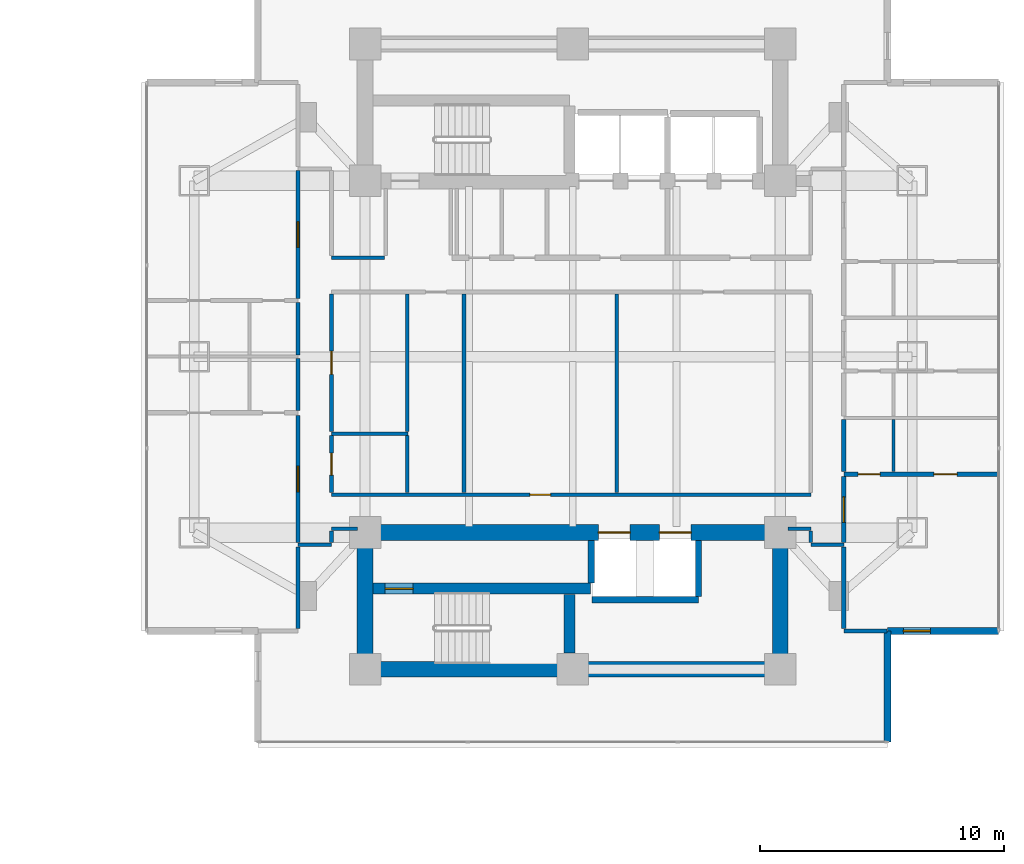
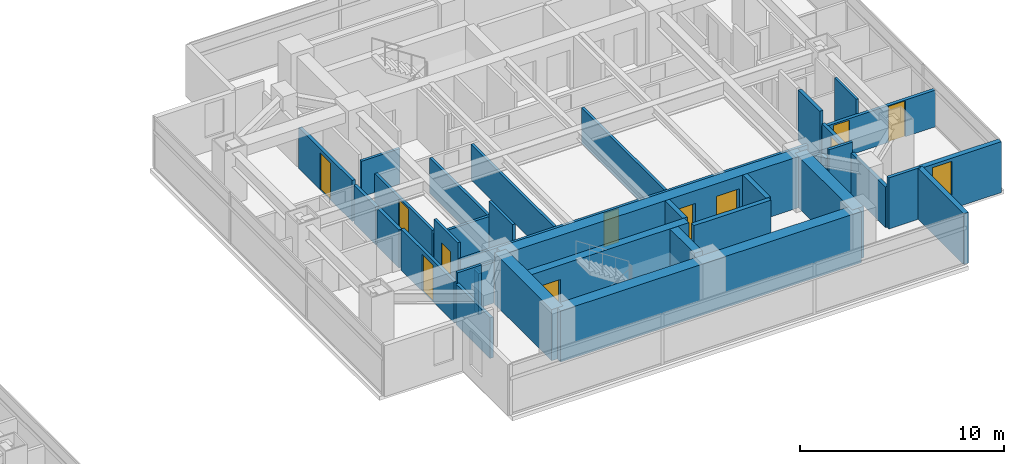
# One storey, part 18 of 27: 37 walls, 11 doors, 1 window, 12 openings.
"""IFC4 building model written with IfcOpenShell, lengths in metres."""

from ifc_helpers import new_model, si_unit, direction, frame, frame_2d, origin, place, context, subcontext, project, spatial, rectangle, extrude, material, layer, layer_set, type_object, element, fill, save


model = new_model("IFC4")

# Units and contexts
model_context = context("Model", 3, precision=1e-05, world=origin(), true_north=direction((0.0, 1.0)))
body_context = subcontext(model_context, "Body", "Model", "MODEL_VIEW")
ifc_project = project(units=[si_unit("LENGTHUNIT", "METRE"), si_unit("AREAUNIT", "SQUARE_METRE"), si_unit("VOLUMEUNIT", "CUBIC_METRE"), si_unit("PLANEANGLEUNIT", "RADIAN"), si_unit("MASSUNIT", "GRAM", prefix="KILO")], contexts=[model_context])

# Site, building, storey
site_placement = place(None, origin())
site = spatial("IfcSite", under=ifc_project, at=site_placement, CompositionType="ELEMENT")
building_placement = place(site_placement, origin())
building = spatial("IfcBuilding", under=site, at=building_placement, Name="Mirazonda Arch Towers", CompositionType="ELEMENT")
storey_placement = place(building_placement, frame((0.0, 0.0, 52.10009765625)))
storey = spatial("IfcBuildingStorey", under=building, at=storey_placement, Name="L14", CompositionType="ELEMENT", Elevation=52.10009765625)

# Wall, opening, door
ifc_material_1 = material(Name="Concrete C50/60", Category="concrete")
ifc_layer_1 = layer(ifc_material_1, 0.449951171875, Name="WALL-CORE-450")
ifc_layer_set_1 = layer_set([ifc_layer_1], Name="Concrete C50/60")
wall_type_1 = type_object("IfcWallType", Name="WALL-CORE-450", PredefinedType="SHEAR", material=ifc_layer_set_1)
wall_1_placement = place(storey_placement, frame((68.320068359375, 18.5, 0.0), z_axis=(0.0, 0.0, 1.0), x_axis=(1.0, 0.0, 0.0)))
wall_1 = element("IfcWall", 1, at=wall_1_placement, inside=storey, type_object=wall_type_1, Name="L14 Stair Core Shear Wall 014", PredefinedType="SHEAR", context=body_context, shape_type="SweptSolid", body=[
    extrude(rectangle(XDim=8.89990234375, YDim=0.449951171875, at=frame_2d((4.449951171875, 0.0))), origin(), (0.0, 0.0, 1.0), 3.059814453125),
])
opening_1_placement = place(wall_1_placement, frame((0.4951171875, 0.0, 0.0)))
opening_1 = element("IfcOpeningElement", 2, at=opening_1_placement, cuts=wall_1, Name="Opening DR-135", PredefinedType="OPENING", context=body_context, shape_type="SweptSolid", body=[
    extrude(rectangle(XDim=1.14990234375, YDim=2.199951171875, at=frame_2d((0.574951171875, 1.10009765625))), frame((0.0, 0.23486328125, 0.0), z_axis=(0.0, -1.0, 0.0), x_axis=(1.0, 0.0, 0.0)), (0.0, 0.0, 1.0), 0.469970703125),
])
ifc_material_2 = material(Name="Architectural Brushed Steel S355", Category="steel")
door_type_1 = type_object("IfcDoorType", Name="DOOR-STAIR-FD90-1150", OperationType="NOTDEFINED", PredefinedType="DOOR", material=ifc_material_2)
door_1_placement = place(opening_1_placement, origin())
door_1 = element("IfcDoor", 3, at=door_1_placement, inside=storey, type_object=door_type_1, Name="L14 East Protected Stair South Door", OperationType="SINGLE_SWING_LEFT", OverallHeight=2.199951171875, OverallWidth=1.14990234375, PredefinedType="DOOR", context=body_context, shape_type="SweptSolid", body=[
    extrude(rectangle(XDim=1.14990234375, YDim=2.199951171875, at=frame_2d((0.574951171875, 1.10009765625))), frame((0.0, 0.02490234375, 0.0), z_axis=(0.0, -1.0, 0.0), x_axis=(1.0, 0.0, 0.0)), (0.0, 0.0, 1.0), 0.050048828125),
])
fill(opening_1, door_1)

# Walls
wall_2_placement = place(storey_placement, frame((76.360107421875, 15.864990234375, 0.0), z_axis=(0.0, 0.0, 1.0), x_axis=(0.0, 1.0, 0.0)))
element("IfcWall", 4, at=wall_2_placement, inside=storey, type_object=wall_type_1, Name="L14 Stair Core Shear Wall 141", PredefinedType="SHEAR", context=body_context, shape_type="SweptSolid", body=[
    extrude(rectangle(XDim=2.39990234375, YDim=0.449951171875, at=frame_2d((1.199951171875, 0.0))), origin(), (0.0, 0.0, 1.0), 3.059814453125),
])
ifc_material_3 = material(Name="Concrete C60/75", Category="concrete")
ifc_layer_2 = layer(ifc_material_3, 0.64990234375, Name="WALL-CORE-650")
ifc_layer_set_2 = layer_set([ifc_layer_2], Name="Concrete C60/75")
wall_type_2 = type_object("IfcWallType", Name="WALL-CORE-650", PredefinedType="SHEAR", material=ifc_layer_set_2)
wall_3_placement = place(storey_placement, frame((68.0, 15.199951171875, 0.0), z_axis=(0.0, 0.0, 1.0), x_axis=(1.0, 0.0, 0.0)))
element("IfcWall", 5, at=wall_3_placement, inside=storey, type_object=wall_type_2, Name="L14 T2S-S Core Shear Wall", PredefinedType="SHEAR", context=body_context, shape_type="SweptSolid", body=[
    extrude(rectangle(XDim=17.0, YDim=0.64990234375, at=frame_2d((8.5, 0.0))), origin(), (0.0, 0.0, 1.0), 3.059814453125),
])
for number, where, z_axis, x_axis, name in (
    (6, (68.0, 15.199951171875, 0.0), (0.0, 0.0, 1.0), (0.0, 1.0, 0.0), "L14 T2S-W Core Shear Wall"),
    (7, (85.0, 15.199951171875, 0.0), (0.0, 0.0, 1.0), (0.0, 1.0, 0.0), "L14 T2S-E Core Shear Wall"),
):
    element("IfcWall", number, at=place(storey_placement, frame(where, z_axis=z_axis, x_axis=x_axis)), inside=storey, type_object=wall_type_2, Name=name, PredefinedType="SHEAR", context=body_context, shape_type="SweptSolid", body=[
        extrude(rectangle(XDim=5.60009765625, YDim=0.64990234375, at=frame_2d((2.800048828125, 0.0))), origin(), (0.0, 0.0, 1.0), 3.059814453125),
    ])

# Wall, openings, doors
wall_4_placement = place(storey_placement, frame((68.0, 20.800048828125, 0.0), z_axis=(0.0, 0.0, 1.0), x_axis=(1.0, 0.0, 0.0)))
wall_4 = element("IfcWall", 8, at=wall_4_placement, inside=storey, type_object=wall_type_2, Name="L14 T2S-N Core Shear Wall", PredefinedType="SHEAR", context=body_context, shape_type="SweptSolid", body=[
    extrude(rectangle(XDim=17.0, YDim=0.64990234375, at=frame_2d((8.5, 0.0))), origin(), (0.0, 0.0, 1.0), 3.059814453125),
])
opening_2_placement = place(wall_4_placement, frame((9.550048828125, 0.0, 0.0)))
opening_2 = element("IfcOpeningElement", 9, at=opening_2_placement, cuts=wall_4, Name="Opening LD-111", PredefinedType="OPENING", context=body_context, shape_type="SweptSolid", body=[
    extrude(rectangle(XDim=1.300048828125, YDim=2.300048828125, at=frame_2d((0.64990234375, 1.14990234375))), frame((0.0, 0.3349609375, 0.0), z_axis=(0.0, -1.0, 0.0), x_axis=(1.0, 0.0, 0.0)), (0.0, 0.0, 1.0), 0.669921875),
])
opening_3_placement = place(wall_4_placement, frame((12.050048828125, 0.0, 0.0)))
opening_3 = element("IfcOpeningElement", 10, at=opening_3_placement, cuts=wall_4, Name="Opening LD-111", PredefinedType="OPENING", context=body_context, shape_type="SweptSolid", body=[
    extrude(rectangle(XDim=1.300048828125, YDim=2.300048828125, at=frame_2d((0.64990234375, 1.14990234375))), frame((0.0, 0.3349609375, 0.0), z_axis=(0.0, -1.0, 0.0), x_axis=(1.0, 0.0, 0.0)), (0.0, 0.0, 1.0), 0.669921875),
])
door_type_2 = type_object("IfcDoorType", Name="DOOR-LIFT-LAND-1300", OperationType="NOTDEFINED", PredefinedType="DOOR", material=ifc_material_2)
door_2_placement = place(opening_2_placement, origin())
door_2 = element("IfcDoor", 11, at=door_2_placement, inside=storey, type_object=door_type_2, Name="L14 Lift Landing Sliding Door PL-T2H1", OperationType="DOUBLE_DOOR_SLIDING", OverallHeight=2.300048828125, OverallWidth=1.300048828125, PredefinedType="DOOR", context=body_context, shape_type="SweptSolid", body=[
    extrude(rectangle(XDim=1.300048828125, YDim=2.300048828125, at=frame_2d((0.64990234375, 1.14990234375))), frame((0.0, 0.02490234375, 0.0), z_axis=(0.0, -1.0, 0.0), x_axis=(1.0, 0.0, 0.0)), (0.0, 0.0, 1.0), 0.050048828125),
])
fill(opening_2, door_2)
door_3_placement = place(opening_3_placement, origin())
door_3 = element("IfcDoor", 12, at=door_3_placement, inside=storey, type_object=door_type_2, Name="L14 Lift Landing Sliding Door PL-T2H2", OperationType="DOUBLE_DOOR_SLIDING", OverallHeight=2.300048828125, OverallWidth=1.300048828125, PredefinedType="DOOR", context=body_context, shape_type="SweptSolid", body=[
    extrude(rectangle(XDim=1.300048828125, YDim=2.300048828125, at=frame_2d((0.64990234375, 1.14990234375))), frame((0.0, 0.02490234375, 0.0), z_axis=(0.0, -1.0, 0.0), x_axis=(1.0, 0.0, 0.0)), (0.0, 0.0, 1.0), 0.050048828125),
])
fill(opening_3, door_3)

# Wall, opening, window
ifc_material_4 = material(Name="Precast Concrete C40/50", Category="concrete")
ifc_layer_3 = layer(ifc_material_4, 0.280029296875, Name="WALL-EXT-WALL-280")
ifc_layer_set_3 = layer_set([ifc_layer_3], Name="Precast Concrete C40/50")
wall_type_3 = type_object("IfcWallType", Name="WALL-EXT-WALL-280", PredefinedType="SOLIDWALL", material=ifc_layer_set_3)
wall_5_placement = place(storey_placement, frame((89.39404296875, 16.77001953125, 0.0), z_axis=(0.0, 0.0, 1.0), x_axis=(1.0, 0.0, 0.0)))
wall_5 = element("IfcWall", 13, at=wall_5_placement, inside=storey, type_object=wall_type_3, Name="L14 T2 Corner Notch Return Wall WL-L14-T2-CSE1", PredefinedType="SOLIDWALL", context=body_context, shape_type="SweptSolid", body=[
    extrude(rectangle(XDim=4.5458984375, YDim=0.280029296875, at=frame_2d((2.27294921875, 0.0))), origin(), (0.0, 0.0, 1.0), 3.039794921875),
])
opening_4_placement = place(wall_5_placement, frame((0.64990234375, 0.0, 0.85009765625)))
opening_4 = element("IfcOpeningElement", 14, at=opening_4_placement, cuts=wall_5, Name="Opening WN-108", PredefinedType="OPENING", context=body_context, shape_type="SweptSolid", body=[
    extrude(rectangle(XDim=1.10009765625, YDim=2.0, at=frame_2d((0.550048828125, 1.0))), frame((0.0, 0.14990234375, 0.0), z_axis=(0.0, -1.0, 0.0), x_axis=(1.0, 0.0, 0.0)), (0.0, 0.0, 1.0), 0.300048828125),
])
ifc_material_5 = material(Name="Insulated Low-E Solar Glass", Category="glass")
window_type = type_object("IfcWindowType", Name="WIN-NOTCH-1100x2000", PartitioningType="SINGLE_PANEL", PredefinedType="WINDOW", material=ifc_material_5)
window_placement = place(opening_4_placement, origin())
window = element("IfcWindow", 15, at=window_placement, inside=storey, type_object=window_type, Name="L14 Punched Facade Window WN-L14-T2-CSE1", OverallHeight=2.0, OverallWidth=1.10009765625, PartitioningType="SINGLE_PANEL", PredefinedType="WINDOW", context=body_context, shape_type="SweptSolid", body=[
    extrude(rectangle(XDim=1.10009765625, YDim=2.0, at=frame_2d((0.550048828125, 1.0))), frame((0.0, 0.030029296875, 0.0), z_axis=(0.0, -1.0, 0.0), x_axis=(1.0, 0.0, 0.0)), (0.0, 0.0, 1.0), 0.06005859375),
])
fill(opening_4, window)

# Walls
wall_6_placement = place(storey_placement, frame((89.39404296875, 12.22412109375, 0.0), z_axis=(0.0, 0.0, 1.0), x_axis=(0.0, 1.0, 0.0)))
element("IfcWall", 16, at=wall_6_placement, inside=storey, type_object=wall_type_3, Name="L14 T2 Corner Notch Return Wall WL-L14-T2-CSE2", PredefinedType="SOLIDWALL", context=body_context, shape_type="SweptSolid", body=[
    extrude(rectangle(XDim=4.5458984375, YDim=0.280029296875, at=frame_2d((2.27294921875, 0.0))), origin(), (0.0, 0.0, 1.0), 3.039794921875),
])
ifc_material_6 = material(Name="Fire-Rated Gypsum Stud Partition")
ifc_layer_4 = layer(ifc_material_6, 0.14990234375, Name="WALL-PART-CORR-150")
ifc_layer_set_4 = layer_set([ifc_layer_4], Name="Fire-Rated Gypsum Stud Partition")
wall_type_4 = type_object("IfcWallType", Name="WALL-PART-CORR-150", PredefinedType="PARTITIONING", material=ifc_layer_set_4)
wall_7_placement = place(storey_placement, frame((65.25, 20.300048828125, 0.0), z_axis=(0.0, 0.0, 1.0), x_axis=(1.0, 0.0, 0.0)))
element("IfcWall", 17, at=wall_7_placement, inside=storey, type_object=wall_type_4, Name="L14 Interior Partition 018", PredefinedType="PARTITIONING", context=body_context, shape_type="SweptSolid", body=[
    extrude(rectangle(XDim=1.3701171875, YDim=0.14990234375, at=frame_2d((0.68505859375, 0.0))), origin(), (0.0, 0.0, 1.0), 3.059814453125),
])
wall_8_placement = place(storey_placement, frame((86.25, 20.300048828125, 0.0), z_axis=(0.0, 0.0, 1.0), x_axis=(1.0, 0.0, 0.0)))
element("IfcWall", 18, at=wall_8_placement, inside=storey, type_object=wall_type_4, Name="L14 Interior Partition 019", PredefinedType="PARTITIONING", context=body_context, shape_type="SweptSolid", body=[
    extrude(rectangle(XDim=1.35009765625, YDim=0.14990234375, at=frame_2d((0.675048828125, 0.0))), origin(), (0.0, 0.0, 1.0), 3.059814453125),
])
wall_9_placement = place(storey_placement, frame((66.6201171875, 20.949951171875, 0.0), z_axis=(0.0, 0.0, 1.0), x_axis=(1.0, 0.0, 0.0)))
element("IfcWall", 19, at=wall_9_placement, inside=storey, type_object=wall_type_4, Name="L14 Interior Partition 020", PredefinedType="PARTITIONING", context=body_context, shape_type="SweptSolid", body=[
    extrude(rectangle(XDim=1.059814453125, YDim=0.14990234375, at=frame_2d((0.52978515625, 0.0))), origin(), (0.0, 0.0, 1.0), 2.451904296875),
])
wall_10_placement = place(storey_placement, frame((85.320068359375, 20.949951171875, 0.0), z_axis=(0.0, 0.0, 1.0), x_axis=(1.0, 0.0, 0.0)))
element("IfcWall", 20, at=wall_10_placement, inside=storey, type_object=wall_type_4, Name="L14 Interior Partition 021", PredefinedType="PARTITIONING", context=body_context, shape_type="SweptSolid", body=[
    extrude(rectangle(XDim=0.929931640625, YDim=0.14990234375, at=frame_2d((0.46484375, 0.0))), origin(), (0.0, 0.0, 1.0), 2.451904296875),
])

# Wall, opening, door
wall_11_placement = place(storey_placement, frame((66.6201171875, 22.35009765625, 0.0), z_axis=(0.0, 0.0, 1.0), x_axis=(1.0, 0.0, 0.0)))
wall_11 = element("IfcWall", 21, at=wall_11_placement, inside=storey, type_object=wall_type_4, Name="L14 Interior Partition 024", PredefinedType="PARTITIONING", context=body_context, shape_type="SweptSolid", body=[
    extrude(rectangle(XDim=19.6298828125, YDim=0.14990234375, at=frame_2d((9.81494140625, 0.0))), origin(), (0.0, 0.0, 1.0), 2.125),
])
opening_5_placement = place(wall_11_placement, frame((8.12890625, 0.0, 0.0)))
opening_5 = element("IfcOpeningElement", 22, at=opening_5_placement, cuts=wall_11, Name="Opening DR-128", PredefinedType="OPENING", context=body_context, shape_type="SweptSolid", body=[
    extrude(rectangle(XDim=0.85009765625, YDim=2.010009765625, at=frame_2d((0.425048828125, 1.0048828125))), frame((0.0, 0.0849609375, 0.0), z_axis=(0.0, -1.0, 0.0), x_axis=(1.0, 0.0, 0.0)), (0.0, 0.0, 1.0), 0.169921875),
])
door_type_3 = type_object("IfcDoorType", Name="DOOR-RISER-FD60-850", OperationType="NOTDEFINED", PredefinedType="DOOR", material=ifc_material_2)
door_4_placement = place(opening_5_placement, origin())
door_4 = element("IfcDoor", 23, at=door_4_placement, inside=storey, type_object=door_type_3, Name="L14 Residents Private Library Door", OperationType="SINGLE_SWING_RIGHT", OverallHeight=2.010009765625, OverallWidth=0.85009765625, PredefinedType="DOOR", context=body_context, shape_type="SweptSolid", body=[
    extrude(rectangle(XDim=0.85009765625, YDim=2.010009765625, at=frame_2d((0.425048828125, 1.0048828125))), frame((0.0, 0.02490234375, 0.0), z_axis=(0.0, -1.0, 0.0), x_axis=(1.0, 0.0, 0.0)), (0.0, 0.0, 1.0), 0.050048828125),
])
fill(opening_5, door_4)

# Walls
wall_12_placement = place(storey_placement, frame((66.6201171875, 24.85009765625, 0.0), z_axis=(0.0, 0.0, 1.0), x_axis=(1.0, 0.0, 0.0)))
element("IfcWall", 24, at=wall_12_placement, inside=storey, type_object=wall_type_4, Name="L14 Interior Partition 027", PredefinedType="PARTITIONING", context=body_context, shape_type="SweptSolid", body=[
    extrude(rectangle(XDim=3.1298828125, YDim=0.14990234375, at=frame_2d((1.56494140625, 0.0))), origin(), (0.0, 0.0, 1.0), 2.125),
])
wall_13_placement = place(storey_placement, frame((66.6201171875, 32.050048828125, 0.0), z_axis=(0.0, 0.0, 1.0), x_axis=(1.0, 0.0, 0.0)))
element("IfcWall", 25, at=wall_13_placement, inside=storey, type_object=wall_type_4, Name="L14 Interior Partition 042", PredefinedType="PARTITIONING", context=body_context, shape_type="SweptSolid", body=[
    extrude(rectangle(XDim=2.179931640625, YDim=0.14990234375, at=frame_2d((1.08984375, 0.0))), origin(), (0.0, 0.0, 1.0), 2.125),
])
wall_14_placement = place(storey_placement, frame((66.6201171875, 20.385009765625, 0.0), z_axis=(0.0, 0.0, 1.0), x_axis=(0.0, 1.0, 0.0)))
element("IfcWall", 26, at=wall_14_placement, inside=storey, type_object=wall_type_4, Name="L14 Interior Partition 129", PredefinedType="PARTITIONING", context=body_context, shape_type="SweptSolid", body=[
    extrude(rectangle(XDim=0.47998046875, YDim=0.14990234375, at=frame_2d((0.239990234375, 0.0))), origin(), (0.0, 0.0, 1.0), 2.451904296875),
])

# Wall, opening, door
wall_15_placement = place(storey_placement, frame((66.6201171875, 22.43505859375, 0.0), z_axis=(0.0, 0.0, 1.0), x_axis=(0.0, 1.0, 0.0)))
wall_15 = element("IfcWall", 27, at=wall_15_placement, inside=storey, type_object=wall_type_4, Name="L14 Interior Partition 130", PredefinedType="PARTITIONING", context=body_context, shape_type="SweptSolid", body=[
    extrude(rectangle(XDim=2.329833984375, YDim=0.14990234375, at=frame_2d((1.1650390625, 0.0))), origin(), (0.0, 0.0, 1.0), 3.059814453125),
])
opening_6_placement = place(wall_15_placement, frame((0.715087890625, 0.0, 0.0)))
opening_6 = element("IfcOpeningElement", 28, at=opening_6_placement, cuts=wall_15, Name="Opening DR-120", PredefinedType="OPENING", context=body_context, shape_type="SweptSolid", body=[
    extrude(rectangle(XDim=0.89990234375, YDim=2.10009765625, at=frame_2d((0.449951171875, 1.050048828125))), frame((0.0, 0.0849609375, 0.0), z_axis=(0.0, -1.0, 0.0), x_axis=(1.0, 0.0, 0.0)), (0.0, 0.0, 1.0), 0.169921875),
])
door_type_4 = type_object("IfcDoorType", Name="DOOR-WC-900", OperationType="NOTDEFINED", PredefinedType="DOOR", material=ifc_material_2)
door_5_placement = place(opening_6_placement, origin())
door_5 = element("IfcDoor", 29, at=door_5_placement, inside=storey, type_object=door_type_4, Name="L14 Tower 2 Common Accessible WC Door", OperationType="SINGLE_SWING_RIGHT", OverallHeight=2.10009765625, OverallWidth=0.89990234375, PredefinedType="DOOR", context=body_context, shape_type="SweptSolid", body=[
    extrude(rectangle(XDim=0.89990234375, YDim=2.10009765625, at=frame_2d((0.449951171875, 1.050048828125))), frame((0.0, 0.02490234375, 0.0), z_axis=(0.0, -1.0, 0.0), x_axis=(1.0, 0.0, 0.0)), (0.0, 0.0, 1.0), 0.050048828125),
])
fill(opening_6, door_5)

wall_16_placement = place(storey_placement, frame((66.6201171875, 24.93505859375, 0.0), z_axis=(0.0, 0.0, 1.0), x_axis=(0.0, 1.0, 0.0)))
wall_16 = element("IfcWall", 30, at=wall_16_placement, inside=storey, type_object=wall_type_4, Name="L14 Interior Partition 131", PredefinedType="PARTITIONING", context=body_context, shape_type="SweptSolid", body=[
    extrude(rectangle(XDim=5.6298828125, YDim=0.14990234375, at=frame_2d((2.81494140625, 0.0))), origin(), (0.0, 0.0, 1.0), 2.27880859375),
])
opening_7_placement = place(wall_16_placement, frame((2.340087890625, 0.0, 0.0)))
opening_7 = element("IfcOpeningElement", 31, at=opening_7_placement, cuts=wall_16, Name="Opening DR-104", PredefinedType="OPENING", context=body_context, shape_type="SweptSolid", body=[
    extrude(rectangle(XDim=0.949951171875, YDim=2.14990234375, at=frame_2d((0.47509765625, 1.074951171875))), frame((0.0, 0.0849609375, 0.0), z_axis=(0.0, -1.0, 0.0), x_axis=(1.0, 0.0, 0.0)), (0.0, 0.0, 1.0), 0.169921875),
])
door_type_5 = type_object("IfcDoorType", Name="DOOR-ROOM-950", OperationType="NOTDEFINED", PredefinedType="DOOR", material=ifc_material_2)
door_6_placement = place(opening_7_placement, origin())
door_6 = element("IfcDoor", 32, at=door_6_placement, inside=storey, type_object=door_type_5, Name="L14 L14 East Courtyard Reading Study Door", OperationType="SINGLE_SWING_RIGHT", OverallHeight=2.14990234375, OverallWidth=0.949951171875, PredefinedType="DOOR", context=body_context, shape_type="SweptSolid", body=[
    extrude(rectangle(XDim=0.949951171875, YDim=2.14990234375, at=frame_2d((0.47509765625, 1.074951171875))), frame((0.0, 0.02490234375, 0.0), z_axis=(0.0, -1.0, 0.0), x_axis=(1.0, 0.0, 0.0)), (0.0, 0.0, 1.0), 0.050048828125),
])
fill(opening_7, door_6)

# Walls
wall_17_placement = place(storey_placement, frame((69.723388671875, 22.43505859375, 0.0), z_axis=(0.0, 0.0, 1.0), x_axis=(0.0, 1.0, 0.0)))
element("IfcWall", 33, at=wall_17_placement, inside=storey, type_object=wall_type_4, Name="L14 Interior Partition 134", PredefinedType="PARTITIONING", context=body_context, shape_type="SweptSolid", body=[
    extrude(rectangle(XDim=2.329833984375, YDim=0.14990234375, at=frame_2d((1.1650390625, 0.0))), origin(), (0.0, 0.0, 1.0), 3.059814453125),
])
wall_18_placement = place(storey_placement, frame((69.723388671875, 24.93505859375, 0.0), z_axis=(0.0, 0.0, 1.0), x_axis=(0.0, 1.0, 0.0)))
element("IfcWall", 34, at=wall_18_placement, inside=storey, type_object=wall_type_4, Name="L14 Interior Partition 135", PredefinedType="PARTITIONING", context=body_context, shape_type="SweptSolid", body=[
    extrude(rectangle(XDim=5.6298828125, YDim=0.14990234375, at=frame_2d((2.81494140625, 0.0))), origin(), (0.0, 0.0, 1.0), 2.125),
])
for number, where, z_axis, x_axis, name in (
    (35, (72.050048828125, 22.43505859375, 0.0), (0.0, 0.0, 1.0), (0.0, 1.0, 0.0), "L14 Interior Partition 138"),
    (36, (78.298095703125, 22.43505859375, 0.0), (0.0, 0.0, 1.0), (0.0, 1.0, 0.0), "L14 Interior Partition 144"),
):
    element("IfcWall", number, at=place(storey_placement, frame(where, z_axis=z_axis, x_axis=x_axis)), inside=storey, type_object=wall_type_4, Name=name, PredefinedType="PARTITIONING", context=body_context, shape_type="SweptSolid", body=[
        extrude(rectangle(XDim=8.1298828125, YDim=0.14990234375, at=frame_2d((4.06494140625, 0.0))), origin(), (0.0, 0.0, 1.0), 2.125),
    ])
wall_19_placement = place(storey_placement, frame((86.25, 20.385009765625, 0.0), z_axis=(0.0, 0.0, 1.0), x_axis=(0.0, 1.0, 0.0)))
element("IfcWall", 37, at=wall_19_placement, inside=storey, type_object=wall_type_4, Name="L14 Interior Partition 149", PredefinedType="PARTITIONING", context=body_context, shape_type="SweptSolid", body=[
    extrude(rectangle(XDim=0.47998046875, YDim=0.14990234375, at=frame_2d((0.239990234375, 0.0))), origin(), (0.0, 0.0, 1.0), 2.451904296875),
])
ifc_material_7 = material(Name="Fire-Rated Gypsum Twin-Stud Assembly")
ifc_layer_5 = layer(ifc_material_7, 0.179931640625, Name="WALL-PART-DEMISE-180")
ifc_layer_set_5 = layer_set([ifc_layer_5], Name="Fire-Rated Gypsum Twin-Stud Assembly")
wall_type_5 = type_object("IfcWallType", Name="WALL-PART-DEMISE-180", PredefinedType="PARTITIONING", material=ifc_layer_set_5)
wall_20_placement = place(storey_placement, frame((87.60009765625, 16.77001953125, 0.0), z_axis=(0.0, 0.0, 1.0), x_axis=(1.0, 0.0, 0.0)))
element("IfcWall", 38, at=wall_20_placement, inside=storey, type_object=wall_type_5, Name="L14 Interior Partition 010", PredefinedType="PARTITIONING", context=body_context, shape_type="SweptSolid", body=[
    extrude(rectangle(XDim=1.77392578125, YDim=0.179931640625, at=frame_2d((0.886962890625, 0.0))), origin(), (0.0, 0.0, 1.0), 3.059814453125),
])

# Wall, openings, doors
wall_21_placement = place(storey_placement, frame((87.60009765625, 23.19189453125, 0.0), z_axis=(0.0, 0.0, 1.0), x_axis=(1.0, 0.0, 0.0)))
wall_21 = element("IfcWall", 39, at=wall_21_placement, inside=storey, type_object=wall_type_5, Name="L14 Interior Partition 026", PredefinedType="PARTITIONING", context=body_context, shape_type="SweptSolid", body=[
    extrude(rectangle(XDim=6.33984375, YDim=0.179931640625, at=frame_2d((3.169921875, 0.0))), origin(), (0.0, 0.0, 1.0), 2.19580078125),
])
opening_8_placement = place(wall_21_placement, frame((3.689453125, 0.0, 0.0)))
opening_8 = element("IfcOpeningElement", 40, at=opening_8_placement, cuts=wall_21, Name="Opening DR-104", PredefinedType="OPENING", context=body_context, shape_type="SweptSolid", body=[
    extrude(rectangle(XDim=0.949951171875, YDim=2.14990234375, at=frame_2d((0.47509765625, 1.074951171875))), frame((0.0, 0.099853515625, 0.0), z_axis=(0.0, -1.0, 0.0), x_axis=(1.0, 0.0, 0.0)), (0.0, 0.0, 1.0), 0.199951171875),
])
opening_9_placement = place(wall_21_placement, frame((0.58447265625, 0.0, 0.0)))
opening_9 = element("IfcOpeningElement", 41, at=opening_9_placement, cuts=wall_21, Name="Opening DR-120", PredefinedType="OPENING", context=body_context, shape_type="SweptSolid", body=[
    extrude(rectangle(XDim=0.89990234375, YDim=2.10009765625, at=frame_2d((0.449951171875, 1.050048828125))), frame((0.0, 0.099853515625, 0.0), z_axis=(0.0, -1.0, 0.0), x_axis=(1.0, 0.0, 0.0)), (0.0, 0.0, 1.0), 0.199951171875),
])
door_7_placement = place(opening_8_placement, origin())
door_7 = element("IfcDoor", 42, at=door_7_placement, inside=storey, type_object=door_type_5, Name="L14 Studio 1 Galley Kitchen Door", OperationType="SINGLE_SWING_RIGHT", OverallHeight=2.14990234375, OverallWidth=0.949951171875, PredefinedType="DOOR", context=body_context, shape_type="SweptSolid", body=[
    extrude(rectangle(XDim=0.949951171875, YDim=2.14990234375, at=frame_2d((0.47509765625, 1.074951171875))), frame((0.0, 0.02490234375, 0.0), z_axis=(0.0, -1.0, 0.0), x_axis=(1.0, 0.0, 0.0)), (0.0, 0.0, 1.0), 0.050048828125),
])
fill(opening_8, door_7)
door_8_placement = place(opening_9_placement, origin())
door_8 = element("IfcDoor", 43, at=door_8_placement, inside=storey, type_object=door_type_4, Name="L14 Studio 1 Bathroom Door", OperationType="SINGLE_SWING_LEFT", OverallHeight=2.10009765625, OverallWidth=0.89990234375, PredefinedType="DOOR", context=body_context, shape_type="SweptSolid", body=[
    extrude(rectangle(XDim=0.89990234375, YDim=2.10009765625, at=frame_2d((0.449951171875, 1.050048828125))), frame((0.0, 0.02490234375, 0.0), z_axis=(0.0, -1.0, 0.0), x_axis=(1.0, 0.0, 0.0)), (0.0, 0.0, 1.0), 0.050048828125),
])
fill(opening_9, door_8)

# Wall
wall_22_placement = place(storey_placement, frame((65.25, 16.8701171875, 0.0), z_axis=(0.0, 0.0, 1.0), x_axis=(0.0, 1.0, 0.0)))
element("IfcWall", 44, at=wall_22_placement, inside=storey, type_object=wall_type_5, Name="L14 Interior Partition 123", PredefinedType="PARTITIONING", context=body_context, shape_type="SweptSolid", body=[
    extrude(rectangle(XDim=3.344970703125, YDim=0.179931640625, at=frame_2d((1.67236328125, 0.0))), origin(), (0.0, 0.0, 1.0), 2.435791015625),
])

# Wall, opening, door
wall_23_placement = place(storey_placement, frame((65.25, 20.385009765625, 0.0), z_axis=(0.0, 0.0, 1.0), x_axis=(0.0, 1.0, 0.0)))
wall_23 = element("IfcWall", 45, at=wall_23_placement, inside=storey, type_object=wall_type_5, Name="L14 Interior Partition 124", PredefinedType="PARTITIONING", context=body_context, shape_type="SweptSolid", body=[
    extrude(rectangle(XDim=5.215087890625, YDim=0.179931640625, at=frame_2d((2.607421875, 0.0))), origin(), (0.0, 0.0, 1.0), 2.451904296875),
])
opening_10_placement = place(wall_23_placement, frame((2.08251953125, 0.0, 0.0)))
opening_10 = element("IfcOpeningElement", 46, at=opening_10_placement, cuts=wall_23, Name="Opening DR-121", PredefinedType="OPENING", context=body_context, shape_type="SweptSolid", body=[
    extrude(rectangle(XDim=1.050048828125, YDim=2.199951171875, at=frame_2d((0.52490234375, 1.10009765625))), frame((0.0, 0.099853515625, 0.0), z_axis=(0.0, -1.0, 0.0), x_axis=(1.0, 0.0, 0.0)), (0.0, 0.0, 1.0), 0.199951171875),
])
door_type_6 = type_object("IfcDoorType", Name="DOOR-SUITE-FD60-1050", OperationType="NOTDEFINED", PredefinedType="DOOR", material=ifc_material_2)
door_9_placement = place(opening_10_placement, origin())
door_9 = element("IfcDoor", 47, at=door_9_placement, inside=storey, type_object=door_type_6, Name="L14 Studio Apartment 1 Living Salon Door", OperationType="SINGLE_SWING_LEFT", OverallHeight=2.199951171875, OverallWidth=1.050048828125, PredefinedType="DOOR", context=body_context, shape_type="SweptSolid", body=[
    extrude(rectangle(XDim=1.050048828125, YDim=2.199951171875, at=frame_2d((0.52490234375, 1.10009765625))), frame((0.0, 0.02490234375, 0.0), z_axis=(0.0, -1.0, 0.0), x_axis=(1.0, 0.0, 0.0)), (0.0, 0.0, 1.0), 0.050048828125),
])
fill(opening_10, door_9)

# Walls
wall_24_placement = place(storey_placement, frame((65.25, 25.800048828125, 0.0), z_axis=(0.0, 0.0, 1.0), x_axis=(0.0, 1.0, 0.0)))
element("IfcWall", 48, at=wall_24_placement, inside=storey, type_object=wall_type_5, Name="L14 Interior Partition 125", PredefinedType="PARTITIONING", context=body_context, shape_type="SweptSolid", body=[
    extrude(rectangle(XDim=2.12744140625, YDim=0.179931640625, at=frame_2d((1.063720703125, 0.0))), origin(), (0.0, 0.0, 1.0), 2.27880859375),
])
wall_25_placement = place(storey_placement, frame((65.25, 28.072509765625, 0.0), z_axis=(0.0, 0.0, 1.0), x_axis=(0.0, 1.0, 0.0)))
element("IfcWall", 49, at=wall_25_placement, inside=storey, type_object=wall_type_5, Name="L14 Interior Partition 126", PredefinedType="PARTITIONING", context=body_context, shape_type="SweptSolid", body=[
    extrude(rectangle(XDim=2.142578125, YDim=0.179931640625, at=frame_2d((1.0712890625, 0.0))), origin(), (0.0, 0.0, 1.0), 2.27880859375),
])

# Wall, opening, door
wall_26_placement = place(storey_placement, frame((65.25, 30.385009765625, 0.0), z_axis=(0.0, 0.0, 1.0), x_axis=(0.0, 1.0, 0.0)))
wall_26 = element("IfcWall", 50, at=wall_26_placement, inside=storey, type_object=wall_type_5, Name="L14 Interior Partition 127", PredefinedType="PARTITIONING", context=body_context, shape_type="SweptSolid", body=[
    extrude(rectangle(XDim=5.22998046875, YDim=0.179931640625, at=frame_2d((2.614990234375, 0.0))), origin(), (0.0, 0.0, 1.0), 2.451904296875),
])
opening_11_placement = place(wall_26_placement, frame((2.090087890625, 0.0, 0.0)))
opening_11 = element("IfcOpeningElement", 51, at=opening_11_placement, cuts=wall_26, Name="Opening DR-121", PredefinedType="OPENING", context=body_context, shape_type="SweptSolid", body=[
    extrude(rectangle(XDim=1.050048828125, YDim=2.199951171875, at=frame_2d((0.52490234375, 1.10009765625))), frame((0.0, 0.099853515625, 0.0), z_axis=(0.0, -1.0, 0.0), x_axis=(1.0, 0.0, 0.0)), (0.0, 0.0, 1.0), 0.199951171875),
])
door_10_placement = place(opening_11_placement, origin())
door_10 = element("IfcDoor", 52, at=door_10_placement, inside=storey, type_object=door_type_6, Name="L14 Studio Apartment 2 Living Salon Door", OperationType="SINGLE_SWING_RIGHT", OverallHeight=2.199951171875, OverallWidth=1.050048828125, PredefinedType="DOOR", context=body_context, shape_type="SweptSolid", body=[
    extrude(rectangle(XDim=1.050048828125, YDim=2.199951171875, at=frame_2d((0.52490234375, 1.10009765625))), frame((0.0, 0.02490234375, 0.0), z_axis=(0.0, -1.0, 0.0), x_axis=(1.0, 0.0, 0.0)), (0.0, 0.0, 1.0), 0.050048828125),
])
fill(opening_11, door_10)

# Wall
wall_27_placement = place(storey_placement, frame((87.60009765625, 16.8701171875, 0.0), z_axis=(0.0, 0.0, 1.0), x_axis=(0.0, 1.0, 0.0)))
element("IfcWall", 53, at=wall_27_placement, inside=storey, type_object=wall_type_5, Name="L14 Interior Partition 153", PredefinedType="PARTITIONING", context=body_context, shape_type="SweptSolid", body=[
    extrude(rectangle(XDim=3.344970703125, YDim=0.179931640625, at=frame_2d((1.67236328125, 0.0))), origin(), (0.0, 0.0, 1.0), 2.435791015625),
])

# Wall, opening, door
wall_28_placement = place(storey_placement, frame((87.60009765625, 20.385009765625, 0.0), z_axis=(0.0, 0.0, 1.0), x_axis=(0.0, 1.0, 0.0)))
wall_28 = element("IfcWall", 54, at=wall_28_placement, inside=storey, type_object=wall_type_5, Name="L14 Interior Partition 154", PredefinedType="PARTITIONING", context=body_context, shape_type="SweptSolid", body=[
    extrude(rectangle(XDim=2.70703125, YDim=0.179931640625, at=frame_2d((1.353515625, 0.0))), origin(), (0.0, 0.0, 1.0), 2.451904296875),
])
opening_12_placement = place(wall_28_placement, frame((0.82861328125, 0.0, 0.0)))
opening_12 = element("IfcOpeningElement", 55, at=opening_12_placement, cuts=wall_28, Name="Opening DR-121", PredefinedType="OPENING", context=body_context, shape_type="SweptSolid", body=[
    extrude(rectangle(XDim=1.050048828125, YDim=2.199951171875, at=frame_2d((0.52490234375, 1.10009765625))), frame((0.0, 0.099853515625, 0.0), z_axis=(0.0, -1.0, 0.0), x_axis=(1.0, 0.0, 0.0)), (0.0, 0.0, 1.0), 0.199951171875),
])
door_11_placement = place(opening_12_placement, origin())
door_11 = element("IfcDoor", 56, at=door_11_placement, inside=storey, type_object=door_type_6, Name="L14 Studio Apartment 1 Living Salon Door", OperationType="SINGLE_SWING_LEFT", OverallHeight=2.199951171875, OverallWidth=1.050048828125, PredefinedType="DOOR", context=body_context, shape_type="SweptSolid", body=[
    extrude(rectangle(XDim=1.050048828125, YDim=2.199951171875, at=frame_2d((0.52490234375, 1.10009765625))), frame((0.0, 0.02490234375, 0.0), z_axis=(0.0, -1.0, 0.0), x_axis=(1.0, 0.0, 0.0)), (0.0, 0.0, 1.0), 0.050048828125),
])
fill(opening_12, door_11)

# Walls
wall_29_placement = place(storey_placement, frame((87.60009765625, 23.2919921875, 0.0), z_axis=(0.0, 0.0, 1.0), x_axis=(0.0, 1.0, 0.0)))
element("IfcWall", 57, at=wall_29_placement, inside=storey, type_object=wall_type_5, Name="L14 Interior Partition 155", PredefinedType="PARTITIONING", context=body_context, shape_type="SweptSolid", body=[
    extrude(rectangle(XDim=2.12744140625, YDim=0.179931640625, at=frame_2d((1.063720703125, 0.0))), origin(), (0.0, 0.0, 1.0), 3.059814453125),
])
ifc_material_8 = material(Name="Acoustic Fire-Rated Gypsum Partition")
ifc_layer_6 = layer(ifc_material_8, 0.125, Name="WALL-PART-UNIT-125")
ifc_layer_set_6 = layer_set([ifc_layer_6], Name="Acoustic Fire-Rated Gypsum Partition")
wall_type_6 = type_object("IfcWallType", Name="WALL-PART-UNIT-125", PredefinedType="PARTITIONING", material=ifc_layer_set_6)
wall_30_placement = place(storey_placement, frame((89.62890625, 23.2919921875, 0.0), z_axis=(0.0, 0.0, 1.0), x_axis=(0.0, 1.0, 0.0)))
element("IfcWall", 58, at=wall_30_placement, inside=storey, type_object=wall_type_6, Name="L14 Interior Partition 161", PredefinedType="PARTITIONING", context=body_context, shape_type="SweptSolid", body=[
    extrude(rectangle(XDim=2.12744140625, YDim=0.125, at=frame_2d((1.063720703125, 0.0))), origin(), (0.0, 0.0, 1.0), 3.059814453125),
])
ifc_material_9 = material(Name="Concrete C40/50", Category="concrete")
ifc_layer_7 = layer(ifc_material_9, 0.25, Name="WALL-SHAFT-250")
ifc_layer_set_7 = layer_set([ifc_layer_7], Name="Concrete C40/50")
wall_type_7 = type_object("IfcWallType", Name="WALL-SHAFT-250", PredefinedType="SOLIDWALL", material=ifc_layer_set_7)
wall_31_placement = place(storey_placement, frame((77.300048828125, 18.050048828125, 0.0), z_axis=(0.0, 0.0, 1.0), x_axis=(1.0, 0.0, 0.0)))
element("IfcWall", 59, at=wall_31_placement, inside=storey, type_object=wall_type_7, Name="L14 Interior Partition 011", PredefinedType="SOLIDWALL", context=body_context, shape_type="SweptSolid", body=[
    extrude(rectangle(XDim=4.349853515625, YDim=0.25, at=frame_2d((2.1748046875, 0.0))), origin(), (0.0, 0.0, 1.0), 3.059814453125),
])
wall_32_placement = place(storey_placement, frame((77.260009765625, 18.735107421875, 0.0), z_axis=(0.0, 0.0, 1.0), x_axis=(0.0, 1.0, 0.0)))
element("IfcWall", 60, at=wall_32_placement, inside=storey, type_object=wall_type_7, Name="L14 Interior Partition 143", PredefinedType="SOLIDWALL", context=body_context, shape_type="SweptSolid", body=[
    extrude(rectangle(XDim=1.744873046875, YDim=0.25, at=frame_2d((0.87255859375, 0.0))), origin(), (0.0, 0.0, 1.0), 3.059814453125),
])
wall_33_placement = place(storey_placement, frame((81.64990234375, 18.18505859375, 0.0), z_axis=(0.0, 0.0, 1.0), x_axis=(0.0, 1.0, 0.0)))
element("IfcWall", 61, at=wall_33_placement, inside=storey, type_object=wall_type_7, Name="L14 Interior Partition 147", PredefinedType="SOLIDWALL", context=body_context, shape_type="SweptSolid", body=[
    extrude(rectangle(XDim=2.294921875, YDim=0.25, at=frame_2d((1.1474609375, 0.0))), origin(), (0.0, 0.0, 1.0), 3.059814453125),
])

save(model, "model.ifc")
